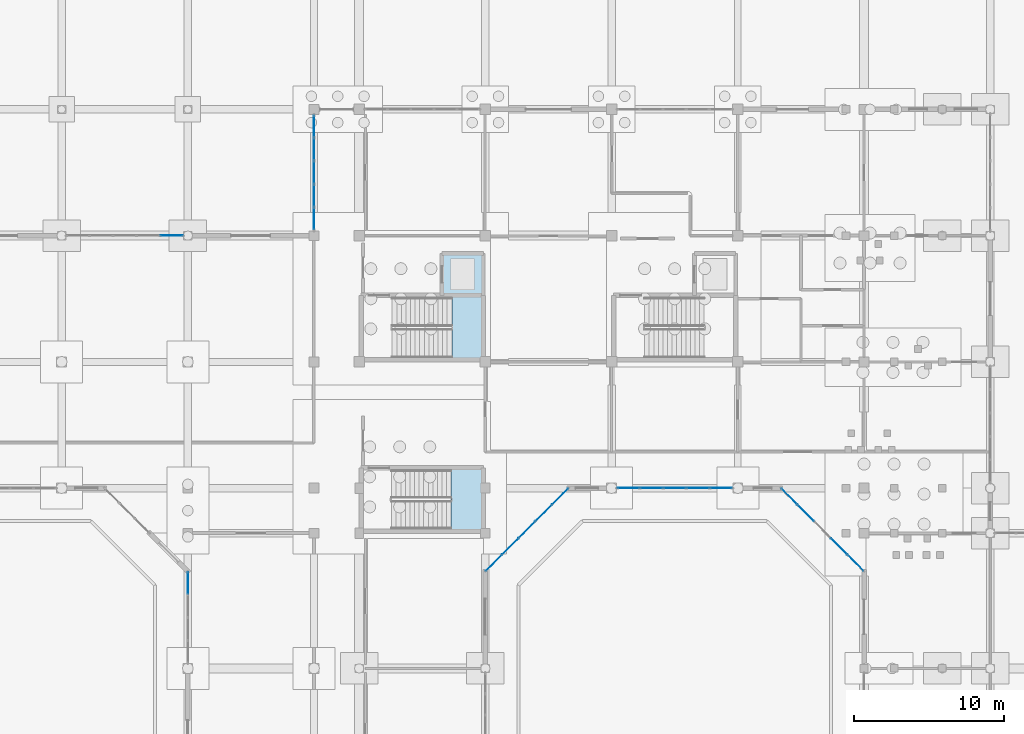
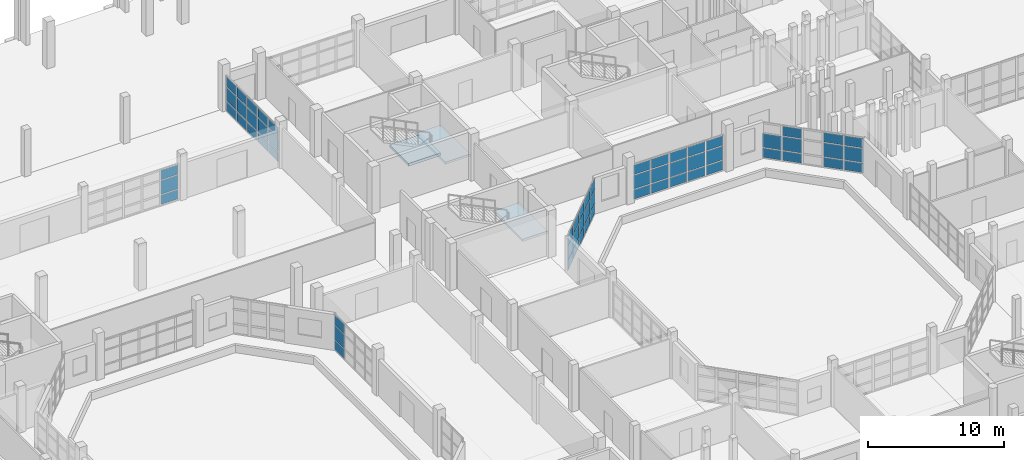
# One storey, part 52 of 88: 62 plates, 3 slabs, 8 elements without a shape of their own.
"""IFC4 building model written with IfcOpenShell, lengths in metres."""

from ifc_helpers import new_model, si_unit, direction, frame, origin, origin_2d, place, context, subcontext, project, spatial, polyline, rectangle, outline, extrude, material, layer, layer_set, type_object, element, aggregate, save


model = new_model("IFC4")

# Units and contexts
model_context = context("Model", 3, precision=1e-05, world=origin(), true_north=direction((0.0, 1.0)))
body_context = subcontext(model_context, "Body", "Model", "MODEL_VIEW")
ifc_project = project(units=[si_unit("LENGTHUNIT", "METRE"), si_unit("AREAUNIT", "SQUARE_METRE"), si_unit("VOLUMEUNIT", "CUBIC_METRE"), si_unit("PLANEANGLEUNIT", "RADIAN"), si_unit("MASSUNIT", "GRAM", prefix="KILO")], contexts=[model_context])

# Site, building, storey
site_placement = place(None, origin())
site = spatial("IfcSite", under=ifc_project, at=site_placement, CompositionType="ELEMENT")
building_placement = place(site_placement, origin())
building = spatial("IfcBuilding", under=site, at=building_placement, Name="Vanh Quang Courtyard School", CompositionType="ELEMENT")
storey_placement = place(building_placement, origin())
storey = spatial("IfcBuildingStorey", under=building, at=storey_placement, Name="L00", CompositionType="ELEMENT", Elevation=0.0)

# Curtain wall, plates
ifc_material_1 = material(Name="Thermally broken aluminium unitised curtain wall", Category="aluminium")
curtain_wall_type_1 = type_object("IfcCurtainWallType", Name="CW-SYS-02", PredefinedType="NOTDEFINED", material=ifc_material_1)
curtain_wall_1_placement = place(storey_placement, origin())
curtain_wall_1 = element("IfcCurtainWall", 1, at=curtain_wall_1_placement, inside=storey, type_object=curtain_wall_type_1, Name="Curtain Wall CW-02 (L00)", PredefinedType="NOTDEFINED")
ifc_material_2 = material(Name="Low-E laminated double glazing", Category="glass")
ifc_layer_1 = layer(ifc_material_2, 0.028076171875)
ifc_layer_set_1 = layer_set([ifc_layer_1], Name="Low-E laminated double glazing")
plate_type_1 = type_object("IfcPlateType", Name="CW-PNL-28", PredefinedType="CURTAIN_PANEL", material=ifc_layer_set_1)
plate_1_placement = place(storey_placement, frame((74.39990234375, 89.326416015625, 0.080078125), z_axis=(0.0, 0.0, 1.0), x_axis=(0.0, 1.0, 0.0)))
plate_1 = element("IfcPlate", 2, at=plate_1_placement, type_object=plate_type_1, Name="CW-02 panel 1.1", PredefinedType="CURTAIN_PANEL", context=body_context, shape_type="SweptSolid", body=[
    extrude(rectangle(XDim=1.4267578125, YDim=0.028076171875, at=origin_2d()), origin(), (0.0, 0.0, 1.0), 0.830078125),
])
plate_2_placement = place(storey_placement, frame((74.39990234375, 89.326416015625, 0.990234375), z_axis=(0.0, 0.0, 1.0), x_axis=(0.0, 1.0, 0.0)))
plate_2 = element("IfcPlate", 3, at=plate_2_placement, type_object=plate_type_1, Name="CW-02 panel 1.2", PredefinedType="CURTAIN_PANEL", context=body_context, shape_type="SweptSolid", body=[
    extrude(rectangle(XDim=1.4267578125, YDim=0.028076171875, at=origin_2d()), origin(), (0.0, 0.0, 1.0), 1.219970703125),
])
plate_3_placement = place(storey_placement, frame((74.39990234375, 89.326416015625, 2.2900390625), z_axis=(0.0, 0.0, 1.0), x_axis=(0.0, 1.0, 0.0)))
plate_3 = element("IfcPlate", 4, at=plate_3_placement, type_object=plate_type_1, Name="CW-02 panel 1.3", PredefinedType="CURTAIN_PANEL", context=body_context, shape_type="SweptSolid", body=[
    extrude(rectangle(XDim=1.4267578125, YDim=0.028076171875, at=origin_2d()), origin(), (0.0, 0.0, 1.0), 0.85009765625),
])
plate_4_placement = place(storey_placement, frame((74.39990234375, 90.853271484375, 0.080078125), z_axis=(0.0, 0.0, 1.0), x_axis=(0.0, 1.0, 0.0)))
plate_4 = element("IfcPlate", 5, at=plate_4_placement, type_object=plate_type_1, Name="CW-02 panel 2.1", PredefinedType="CURTAIN_PANEL", context=body_context, shape_type="SweptSolid", body=[
    extrude(rectangle(XDim=1.466796875, YDim=0.028076171875, at=origin_2d()), origin(), (0.0, 0.0, 1.0), 0.830078125),
])
plate_5_placement = place(storey_placement, frame((74.39990234375, 90.853271484375, 0.990234375), z_axis=(0.0, 0.0, 1.0), x_axis=(0.0, 1.0, 0.0)))
plate_5 = element("IfcPlate", 6, at=plate_5_placement, type_object=plate_type_1, Name="CW-02 panel 2.2", PredefinedType="CURTAIN_PANEL", context=body_context, shape_type="SweptSolid", body=[
    extrude(rectangle(XDim=1.466796875, YDim=0.028076171875, at=origin_2d()), origin(), (0.0, 0.0, 1.0), 1.219970703125),
])
plate_6_placement = place(storey_placement, frame((74.39990234375, 90.853271484375, 2.2900390625), z_axis=(0.0, 0.0, 1.0), x_axis=(0.0, 1.0, 0.0)))
plate_6 = element("IfcPlate", 7, at=plate_6_placement, type_object=plate_type_1, Name="CW-02 panel 2.3", PredefinedType="CURTAIN_PANEL", context=body_context, shape_type="SweptSolid", body=[
    extrude(rectangle(XDim=1.466796875, YDim=0.028076171875, at=origin_2d()), origin(), (0.0, 0.0, 1.0), 0.85009765625),
])
plate_7_placement = place(storey_placement, frame((74.39990234375, 92.39990234375, 0.080078125), z_axis=(0.0, 0.0, 1.0), x_axis=(0.0, 1.0, 0.0)))
plate_7 = element("IfcPlate", 8, at=plate_7_placement, type_object=plate_type_1, Name="CW-02 panel 3.1", PredefinedType="CURTAIN_PANEL", context=body_context, shape_type="SweptSolid", body=[
    extrude(rectangle(XDim=1.466796875, YDim=0.028076171875, at=origin_2d()), origin(), (0.0, 0.0, 1.0), 0.830078125),
])
plate_8_placement = place(storey_placement, frame((74.39990234375, 92.39990234375, 0.990234375), z_axis=(0.0, 0.0, 1.0), x_axis=(0.0, 1.0, 0.0)))
plate_8 = element("IfcPlate", 9, at=plate_8_placement, type_object=plate_type_1, Name="CW-02 panel 3.2", PredefinedType="CURTAIN_PANEL", context=body_context, shape_type="SweptSolid", body=[
    extrude(rectangle(XDim=1.466796875, YDim=0.028076171875, at=origin_2d()), origin(), (0.0, 0.0, 1.0), 1.219970703125),
])
plate_9_placement = place(storey_placement, frame((74.39990234375, 92.39990234375, 2.2900390625), z_axis=(0.0, 0.0, 1.0), x_axis=(0.0, 1.0, 0.0)))
plate_9 = element("IfcPlate", 10, at=plate_9_placement, type_object=plate_type_1, Name="CW-02 panel 3.3", PredefinedType="CURTAIN_PANEL", context=body_context, shape_type="SweptSolid", body=[
    extrude(rectangle(XDim=1.466796875, YDim=0.028076171875, at=origin_2d()), origin(), (0.0, 0.0, 1.0), 0.85009765625),
])
plate_10_placement = place(storey_placement, frame((74.39990234375, 93.94677734375, 0.080078125), z_axis=(0.0, 0.0, 1.0), x_axis=(0.0, 1.0, 0.0)))
plate_10 = element("IfcPlate", 11, at=plate_10_placement, type_object=plate_type_1, Name="CW-02 panel 4.1", PredefinedType="CURTAIN_PANEL", context=body_context, shape_type="SweptSolid", body=[
    extrude(rectangle(XDim=1.466796875, YDim=0.028076171875, at=origin_2d()), origin(), (0.0, 0.0, 1.0), 0.830078125),
])
plate_11_placement = place(storey_placement, frame((74.39990234375, 93.94677734375, 0.990234375), z_axis=(0.0, 0.0, 1.0), x_axis=(0.0, 1.0, 0.0)))
plate_11 = element("IfcPlate", 12, at=plate_11_placement, type_object=plate_type_1, Name="CW-02 panel 4.2", PredefinedType="CURTAIN_PANEL", context=body_context, shape_type="SweptSolid", body=[
    extrude(rectangle(XDim=1.466796875, YDim=0.028076171875, at=origin_2d()), origin(), (0.0, 0.0, 1.0), 1.219970703125),
])
plate_12_placement = place(storey_placement, frame((74.39990234375, 93.94677734375, 2.2900390625), z_axis=(0.0, 0.0, 1.0), x_axis=(0.0, 1.0, 0.0)))
plate_12 = element("IfcPlate", 13, at=plate_12_placement, type_object=plate_type_1, Name="CW-02 panel 4.3", PredefinedType="CURTAIN_PANEL", context=body_context, shape_type="SweptSolid", body=[
    extrude(rectangle(XDim=1.466796875, YDim=0.028076171875, at=origin_2d()), origin(), (0.0, 0.0, 1.0), 0.85009765625),
])
plate_13_placement = place(storey_placement, frame((74.39990234375, 95.4736328125, 0.080078125), z_axis=(0.0, 0.0, 1.0), x_axis=(0.0, 1.0, 0.0)))
plate_13 = element("IfcPlate", 14, at=plate_13_placement, type_object=plate_type_1, Name="CW-02 panel 5.1", PredefinedType="CURTAIN_PANEL", context=body_context, shape_type="SweptSolid", body=[
    extrude(rectangle(XDim=1.4267578125, YDim=0.028076171875, at=origin_2d()), origin(), (0.0, 0.0, 1.0), 0.830078125),
])
plate_14_placement = place(storey_placement, frame((74.39990234375, 95.4736328125, 0.990234375), z_axis=(0.0, 0.0, 1.0), x_axis=(0.0, 1.0, 0.0)))
plate_14 = element("IfcPlate", 15, at=plate_14_placement, type_object=plate_type_1, Name="CW-02 panel 5.2", PredefinedType="CURTAIN_PANEL", context=body_context, shape_type="SweptSolid", body=[
    extrude(rectangle(XDim=1.4267578125, YDim=0.028076171875, at=origin_2d()), origin(), (0.0, 0.0, 1.0), 1.219970703125),
])
plate_15_placement = place(storey_placement, frame((74.39990234375, 95.4736328125, 2.2900390625), z_axis=(0.0, 0.0, 1.0), x_axis=(0.0, 1.0, 0.0)))
plate_15 = element("IfcPlate", 16, at=plate_15_placement, type_object=plate_type_1, Name="CW-02 panel 5.3", PredefinedType="CURTAIN_PANEL", context=body_context, shape_type="SweptSolid", body=[
    extrude(rectangle(XDim=1.4267578125, YDim=0.028076171875, at=origin_2d()), origin(), (0.0, 0.0, 1.0), 0.85009765625),
])
aggregate(curtain_wall_1, [plate_1, plate_2, plate_3, plate_4, plate_5, plate_6, plate_7, plate_8, plate_9, plate_10, plate_11, plate_12, plate_13, plate_14, plate_15])

curtain_wall_type_2 = type_object("IfcCurtainWallType", Name="CW-SYS-01", PredefinedType="NOTDEFINED", material=ifc_material_1)
curtain_wall_2_placement = place(storey_placement, origin())
curtain_wall_2 = element("IfcCurtainWall", 17, at=curtain_wall_2_placement, inside=storey, type_object=curtain_wall_type_2, Name="Curtain Wall CW-01 (L00)", PredefinedType="NOTDEFINED")
plate_16_placement = place(storey_placement, frame((110.43310546875, 66.4228515625, 0.06982421875), z_axis=(0.0, 0.0, 1.0), x_axis=(-0.707106781187, 0.707106781187, 0.0)))
plate_16 = element("IfcPlate", 18, at=plate_16_placement, type_object=plate_type_1, Name="CW-01 panel 1.1", PredefinedType="CURTAIN_PANEL", context=body_context, shape_type="SweptSolid", body=[
    extrude(rectangle(XDim=1.463134765625, YDim=0.028076171875, at=origin_2d()), origin(), (0.0, 0.0, 1.0), 0.844970703125),
])
plate_17_placement = place(storey_placement, frame((110.43310546875, 66.4228515625, 0.985107421875), z_axis=(0.0, 0.0, 1.0), x_axis=(-0.707106781187, 0.707106781187, 0.0)))
plate_17 = element("IfcPlate", 19, at=plate_17_placement, type_object=plate_type_1, Name="CW-01 panel 1.2", PredefinedType="CURTAIN_PANEL", context=body_context, shape_type="SweptSolid", body=[
    extrude(rectangle(XDim=1.463134765625, YDim=0.028076171875, at=origin_2d()), origin(), (0.0, 0.0, 1.0), 1.22998046875),
])
plate_18_placement = place(storey_placement, frame((110.43310546875, 66.4228515625, 2.28515625), z_axis=(0.0, 0.0, 1.0), x_axis=(-0.707106781187, 0.707106781187, 0.0)))
plate_18 = element("IfcPlate", 20, at=plate_18_placement, type_object=plate_type_1, Name="CW-01 panel 1.3", PredefinedType="CURTAIN_PANEL", context=body_context, shape_type="SweptSolid", body=[
    extrude(rectangle(XDim=1.463134765625, YDim=0.028076171875, at=origin_2d()), origin(), (0.0, 0.0, 1.0), 0.864990234375),
])
plate_19_placement = place(storey_placement, frame((109.3369140625, 67.519287109375, 0.06982421875), z_axis=(0.0, 0.0, 1.0), x_axis=(-0.707106781187, 0.707106781187, 0.0)))
plate_19 = element("IfcPlate", 21, at=plate_19_placement, type_object=plate_type_1, Name="CW-01 panel 2.1", PredefinedType="CURTAIN_PANEL", context=body_context, shape_type="SweptSolid", body=[
    extrude(rectangle(XDim=1.498046875, YDim=0.028076171875, at=origin_2d()), origin(), (0.0, 0.0, 1.0), 0.844970703125),
])
plate_20_placement = place(storey_placement, frame((109.3369140625, 67.519287109375, 0.985107421875), z_axis=(0.0, 0.0, 1.0), x_axis=(-0.707106781187, 0.707106781187, 0.0)))
plate_20 = element("IfcPlate", 22, at=plate_20_placement, type_object=plate_type_1, Name="CW-01 panel 2.2", PredefinedType="CURTAIN_PANEL", context=body_context, shape_type="SweptSolid", body=[
    extrude(rectangle(XDim=1.498046875, YDim=0.028076171875, at=origin_2d()), origin(), (0.0, 0.0, 1.0), 1.22998046875),
])
plate_21_placement = place(storey_placement, frame((109.3369140625, 67.519287109375, 2.28515625), z_axis=(0.0, 0.0, 1.0), x_axis=(-0.707106781187, 0.707106781187, 0.0)))
plate_21 = element("IfcPlate", 23, at=plate_21_placement, type_object=plate_type_1, Name="CW-01 panel 2.3", PredefinedType="CURTAIN_PANEL", context=body_context, shape_type="SweptSolid", body=[
    extrude(rectangle(XDim=1.498046875, YDim=0.028076171875, at=origin_2d()), origin(), (0.0, 0.0, 1.0), 0.864990234375),
])
plate_22_placement = place(storey_placement, frame((107.119140625, 69.73681640625, 0.06982421875), z_axis=(0.0, 0.0, 1.0), x_axis=(-0.707106781187, 0.707106781187, 0.0)))
plate_22 = element("IfcPlate", 24, at=plate_22_placement, type_object=plate_type_1, Name="CW-01 panel 4.1", PredefinedType="CURTAIN_PANEL", context=body_context, shape_type="SweptSolid", body=[
    extrude(rectangle(XDim=1.498046875, YDim=0.028076171875, at=origin_2d()), origin(), (0.0, 0.0, 1.0), 0.844970703125),
])
plate_23_placement = place(storey_placement, frame((107.119140625, 69.73681640625, 0.985107421875), z_axis=(0.0, 0.0, 1.0), x_axis=(-0.707106781187, 0.707106781187, 0.0)))
plate_23 = element("IfcPlate", 25, at=plate_23_placement, type_object=plate_type_1, Name="CW-01 panel 4.2", PredefinedType="CURTAIN_PANEL", context=body_context, shape_type="SweptSolid", body=[
    extrude(rectangle(XDim=1.498046875, YDim=0.028076171875, at=origin_2d()), origin(), (0.0, 0.0, 1.0), 1.22998046875),
])
plate_24_placement = place(storey_placement, frame((107.119140625, 69.73681640625, 2.28515625), z_axis=(0.0, 0.0, 1.0), x_axis=(-0.707106781187, 0.707106781187, 0.0)))
plate_24 = element("IfcPlate", 26, at=plate_24_placement, type_object=plate_type_1, Name="CW-01 panel 4.3", PredefinedType="CURTAIN_PANEL", context=body_context, shape_type="SweptSolid", body=[
    extrude(rectangle(XDim=1.498046875, YDim=0.028076171875, at=origin_2d()), origin(), (0.0, 0.0, 1.0), 0.864990234375),
])
plate_25_placement = place(storey_placement, frame((106.022705078125, 70.833251953125, 0.06982421875), z_axis=(0.0, 0.0, 1.0), x_axis=(-0.707106781187, 0.707106781187, 0.0)))
plate_25 = element("IfcPlate", 27, at=plate_25_placement, type_object=plate_type_1, Name="CW-01 panel 5.1", PredefinedType="CURTAIN_PANEL", context=body_context, shape_type="SweptSolid", body=[
    extrude(rectangle(XDim=1.463134765625, YDim=0.028076171875, at=origin_2d()), origin(), (0.0, 0.0, 1.0), 0.844970703125),
])
plate_26_placement = place(storey_placement, frame((106.022705078125, 70.833251953125, 0.985107421875), z_axis=(0.0, 0.0, 1.0), x_axis=(-0.707106781187, 0.707106781187, 0.0)))
plate_26 = element("IfcPlate", 28, at=plate_26_placement, type_object=plate_type_1, Name="CW-01 panel 5.2", PredefinedType="CURTAIN_PANEL", context=body_context, shape_type="SweptSolid", body=[
    extrude(rectangle(XDim=1.463134765625, YDim=0.028076171875, at=origin_2d()), origin(), (0.0, 0.0, 1.0), 1.22998046875),
])
aggregate(curtain_wall_2, [plate_16, plate_17, plate_18, plate_19, plate_20, plate_21, plate_22, plate_23, plate_24, plate_25, plate_26])

curtain_wall_3_placement = place(storey_placement, origin())
curtain_wall_3 = element("IfcCurtainWall", 29, at=curtain_wall_3_placement, inside=storey, type_object=curtain_wall_type_2, Name="Curtain Wall CW-01 (L00)", PredefinedType="NOTDEFINED")
plate_27_placement = place(storey_placement, frame((90.779052734375, 70.8349609375, 0.06005859375), z_axis=(0.0, 0.0, 1.0), x_axis=(-0.707106781187, -0.707106781187, 0.0)))
plate_27 = element("IfcPlate", 30, at=plate_27_placement, type_object=plate_type_1, Name="CW-01 panel 1.1", PredefinedType="CURTAIN_PANEL", context=body_context, shape_type="SweptSolid", body=[
    extrude(rectangle(XDim=1.47802734375, YDim=0.028076171875, at=origin_2d()), origin(), (0.0, 0.0, 1.0), 0.860107421875),
])
plate_28_placement = place(storey_placement, frame((90.779052734375, 70.8349609375, 0.97998046875), z_axis=(0.0, 0.0, 1.0), x_axis=(-0.707106781187, -0.707106781187, 0.0)))
plate_28 = element("IfcPlate", 31, at=plate_28_placement, type_object=plate_type_1, Name="CW-01 panel 1.2", PredefinedType="CURTAIN_PANEL", context=body_context, shape_type="SweptSolid", body=[
    extrude(rectangle(XDim=1.47802734375, YDim=0.028076171875, at=origin_2d()), origin(), (0.0, 0.0, 1.0), 1.239990234375),
])
plate_29_placement = place(storey_placement, frame((90.779052734375, 70.8349609375, 2.280029296875), z_axis=(0.0, 0.0, 1.0), x_axis=(-0.707106781187, -0.707106781187, 0.0)))
plate_29 = element("IfcPlate", 32, at=plate_29_placement, type_object=plate_type_1, Name="CW-01 panel 1.3", PredefinedType="CURTAIN_PANEL", context=body_context, shape_type="SweptSolid", body=[
    extrude(rectangle(XDim=1.47802734375, YDim=0.028076171875, at=origin_2d()), origin(), (0.0, 0.0, 1.0), 0.8798828125),
])
plate_30_placement = place(storey_placement, frame((89.680908203125, 69.73681640625, 0.06005859375), z_axis=(0.0, 0.0, 1.0), x_axis=(-0.707106781187, -0.707106781187, 0.0)))
plate_30 = element("IfcPlate", 33, at=plate_30_placement, type_object=plate_type_1, Name="CW-01 panel 2.1", PredefinedType="CURTAIN_PANEL", context=body_context, shape_type="SweptSolid", body=[
    extrude(rectangle(XDim=1.508056640625, YDim=0.028076171875, at=origin_2d()), origin(), (0.0, 0.0, 1.0), 0.860107421875),
])
plate_31_placement = place(storey_placement, frame((89.680908203125, 69.73681640625, 0.97998046875), z_axis=(0.0, 0.0, 1.0), x_axis=(-0.707106781187, -0.707106781187, 0.0)))
plate_31 = element("IfcPlate", 34, at=plate_31_placement, type_object=plate_type_1, Name="CW-01 panel 2.2", PredefinedType="CURTAIN_PANEL", context=body_context, shape_type="SweptSolid", body=[
    extrude(rectangle(XDim=1.508056640625, YDim=0.028076171875, at=origin_2d()), origin(), (0.0, 0.0, 1.0), 1.239990234375),
])
plate_32_placement = place(storey_placement, frame((89.680908203125, 69.73681640625, 2.280029296875), z_axis=(0.0, 0.0, 1.0), x_axis=(-0.707106781187, -0.707106781187, 0.0)))
plate_32 = element("IfcPlate", 35, at=plate_32_placement, type_object=plate_type_1, Name="CW-01 panel 2.3", PredefinedType="CURTAIN_PANEL", context=body_context, shape_type="SweptSolid", body=[
    extrude(rectangle(XDim=1.508056640625, YDim=0.028076171875, at=origin_2d()), origin(), (0.0, 0.0, 1.0), 0.8798828125),
])
plate_33_placement = place(storey_placement, frame((88.572021484375, 68.6279296875, 0.06005859375), z_axis=(0.0, 0.0, 1.0), x_axis=(-0.707106781187, -0.707106781187, 0.0)))
plate_33 = element("IfcPlate", 36, at=plate_33_placement, type_object=plate_type_1, Name="CW-01 panel 3.1", PredefinedType="CURTAIN_PANEL", context=body_context, shape_type="SweptSolid", body=[
    extrude(rectangle(XDim=1.508056640625, YDim=0.028076171875, at=origin_2d()), origin(), (0.0, 0.0, 1.0), 0.860107421875),
])
plate_34_placement = place(storey_placement, frame((88.572021484375, 68.6279296875, 0.97998046875), z_axis=(0.0, 0.0, 1.0), x_axis=(-0.707106781187, -0.707106781187, 0.0)))
plate_34 = element("IfcPlate", 37, at=plate_34_placement, type_object=plate_type_1, Name="CW-01 panel 3.2", PredefinedType="CURTAIN_PANEL", context=body_context, shape_type="SweptSolid", body=[
    extrude(rectangle(XDim=1.508056640625, YDim=0.028076171875, at=origin_2d()), origin(), (0.0, 0.0, 1.0), 1.239990234375),
])
plate_35_placement = place(storey_placement, frame((88.572021484375, 68.6279296875, 2.280029296875), z_axis=(0.0, 0.0, 1.0), x_axis=(-0.707106781187, -0.707106781187, 0.0)))
plate_35 = element("IfcPlate", 38, at=plate_35_placement, type_object=plate_type_1, Name="CW-01 panel 3.3", PredefinedType="CURTAIN_PANEL", context=body_context, shape_type="SweptSolid", body=[
    extrude(rectangle(XDim=1.508056640625, YDim=0.028076171875, at=origin_2d()), origin(), (0.0, 0.0, 1.0), 0.8798828125),
])
plate_36_placement = place(storey_placement, frame((87.463134765625, 67.519287109375, 0.06005859375), z_axis=(0.0, 0.0, 1.0), x_axis=(-0.707106781187, -0.707106781187, 0.0)))
plate_36 = element("IfcPlate", 39, at=plate_36_placement, type_object=plate_type_1, Name="CW-01 panel 4.1", PredefinedType="CURTAIN_PANEL", context=body_context, shape_type="SweptSolid", body=[
    extrude(rectangle(XDim=1.508056640625, YDim=0.028076171875, at=origin_2d()), origin(), (0.0, 0.0, 1.0), 0.860107421875),
])
plate_37_placement = place(storey_placement, frame((87.463134765625, 67.519287109375, 0.97998046875), z_axis=(0.0, 0.0, 1.0), x_axis=(-0.707106781187, -0.707106781187, 0.0)))
plate_37 = element("IfcPlate", 40, at=plate_37_placement, type_object=plate_type_1, Name="CW-01 panel 4.2", PredefinedType="CURTAIN_PANEL", context=body_context, shape_type="SweptSolid", body=[
    extrude(rectangle(XDim=1.508056640625, YDim=0.028076171875, at=origin_2d()), origin(), (0.0, 0.0, 1.0), 1.239990234375),
])
plate_38_placement = place(storey_placement, frame((87.463134765625, 67.519287109375, 2.280029296875), z_axis=(0.0, 0.0, 1.0), x_axis=(-0.707106781187, -0.707106781187, 0.0)))
plate_38 = element("IfcPlate", 41, at=plate_38_placement, type_object=plate_type_1, Name="CW-01 panel 4.3", PredefinedType="CURTAIN_PANEL", context=body_context, shape_type="SweptSolid", body=[
    extrude(rectangle(XDim=1.508056640625, YDim=0.028076171875, at=origin_2d()), origin(), (0.0, 0.0, 1.0), 0.8798828125),
])
plate_39_placement = place(storey_placement, frame((86.364990234375, 66.4208984375, 0.06005859375), z_axis=(0.0, 0.0, 1.0), x_axis=(-0.707106781187, -0.707106781187, 0.0)))
plate_39 = element("IfcPlate", 42, at=plate_39_placement, type_object=plate_type_1, Name="CW-01 panel 5.1", PredefinedType="CURTAIN_PANEL", context=body_context, shape_type="SweptSolid", body=[
    extrude(rectangle(XDim=1.47802734375, YDim=0.028076171875, at=origin_2d()), origin(), (0.0, 0.0, 1.0), 0.860107421875),
])
plate_40_placement = place(storey_placement, frame((86.364990234375, 66.4208984375, 0.97998046875), z_axis=(0.0, 0.0, 1.0), x_axis=(-0.707106781187, -0.707106781187, 0.0)))
plate_40 = element("IfcPlate", 43, at=plate_40_placement, type_object=plate_type_1, Name="CW-01 panel 5.2", PredefinedType="CURTAIN_PANEL", context=body_context, shape_type="SweptSolid", body=[
    extrude(rectangle(XDim=1.47802734375, YDim=0.028076171875, at=origin_2d()), origin(), (0.0, 0.0, 1.0), 1.239990234375),
])
plate_41_placement = place(storey_placement, frame((86.364990234375, 66.4208984375, 2.280029296875), z_axis=(0.0, 0.0, 1.0), x_axis=(-0.707106781187, -0.707106781187, 0.0)))
plate_41 = element("IfcPlate", 44, at=plate_41_placement, type_object=plate_type_1, Name="CW-01 panel 5.3", PredefinedType="CURTAIN_PANEL", context=body_context, shape_type="SweptSolid", body=[
    extrude(rectangle(XDim=1.47802734375, YDim=0.028076171875, at=origin_2d()), origin(), (0.0, 0.0, 1.0), 0.8798828125),
])
aggregate(curtain_wall_3, [plate_27, plate_28, plate_29, plate_30, plate_31, plate_32, plate_33, plate_34, plate_35, plate_36, plate_37, plate_38, plate_39, plate_40, plate_41])

curtain_wall_4_placement = place(storey_placement, origin())
curtain_wall_4 = element("IfcCurtainWall", 45, at=curtain_wall_4_placement, inside=storey, type_object=curtain_wall_type_2, Name="Curtain Wall CW-01 (L00)", PredefinedType="NOTDEFINED")
ifc_layer_2 = layer(ifc_material_2, 0.031982421875)
ifc_layer_set_2 = layer_set([ifc_layer_2], Name="Low-E laminated double glazing")
plate_type_2 = type_object("IfcPlateType", Name="CW-PNL-32", PredefinedType="CURTAIN_PANEL", material=ifc_layer_set_2)
plate_42_placement = place(storey_placement, frame((64.916015625, 88.199951171875, 0.06982421875), z_axis=(0.0, 0.0, 1.0), x_axis=(1.0, 0.0, 0.0)))
plate_42 = element("IfcPlate", 46, at=plate_42_placement, type_object=plate_type_2, Name="CW-01 panel 5.1", PredefinedType="CURTAIN_PANEL", context=body_context, shape_type="SweptSolid", body=[
    extrude(rectangle(XDim=1.4619140625, YDim=0.031982421875, at=origin_2d()), origin(), (0.0, 0.0, 1.0), 0.844970703125),
])
plate_43_placement = place(storey_placement, frame((64.916015625, 88.199951171875, 0.985107421875), z_axis=(0.0, 0.0, 1.0), x_axis=(1.0, 0.0, 0.0)))
plate_43 = element("IfcPlate", 47, at=plate_43_placement, type_object=plate_type_2, Name="CW-01 panel 5.2", PredefinedType="CURTAIN_PANEL", context=body_context, shape_type="SweptSolid", body=[
    extrude(rectangle(XDim=1.4619140625, YDim=0.031982421875, at=origin_2d()), origin(), (0.0, 0.0, 1.0), 1.22998046875),
])
plate_44_placement = place(storey_placement, frame((64.916015625, 88.199951171875, 2.28515625), z_axis=(0.0, 0.0, 1.0), x_axis=(1.0, 0.0, 0.0)))
plate_44 = element("IfcPlate", 48, at=plate_44_placement, type_object=plate_type_2, Name="CW-01 panel 5.3", PredefinedType="CURTAIN_PANEL", context=body_context, shape_type="SweptSolid", body=[
    extrude(rectangle(XDim=1.4619140625, YDim=0.031982421875, at=origin_2d()), origin(), (0.0, 0.0, 1.0), 0.864990234375),
])
aggregate(curtain_wall_4, [plate_42, plate_43, plate_44])

curtain_wall_type_3 = type_object("IfcCurtainWallType", Name="CW-SYS-13", PredefinedType="NOTDEFINED", material=ifc_material_1)
curtain_wall_5_placement = place(storey_placement, origin())
curtain_wall_5 = element("IfcCurtainWall", 49, at=curtain_wall_5_placement, inside=storey, type_object=curtain_wall_type_3, Name="Curtain Wall CW-13 (L00)", PredefinedType="NOTDEFINED")
plate_45_placement = place(storey_placement, frame((66.0, 65.0732421875, 0.06982421875), z_axis=(0.0, 0.0, 1.0), x_axis=(0.0, 1.0, 0.0)))
plate_45 = element("IfcPlate", 50, at=plate_45_placement, type_object=plate_type_2, Name="CW-13 panel 4.1", PredefinedType="CURTAIN_PANEL", context=body_context, shape_type="SweptSolid", body=[
    extrude(rectangle(XDim=1.42578125, YDim=0.031982421875, at=origin_2d()), origin(), (0.0, 0.0, 1.0), 0.844970703125),
])
plate_46_placement = place(storey_placement, frame((66.0, 65.0732421875, 0.985107421875), z_axis=(0.0, 0.0, 1.0), x_axis=(0.0, 1.0, 0.0)))
plate_46 = element("IfcPlate", 51, at=plate_46_placement, type_object=plate_type_2, Name="CW-13 panel 4.2", PredefinedType="CURTAIN_PANEL", context=body_context, shape_type="SweptSolid", body=[
    extrude(rectangle(XDim=1.42578125, YDim=0.031982421875, at=origin_2d()), origin(), (0.0, 0.0, 1.0), 1.22998046875),
])
plate_47_placement = place(storey_placement, frame((66.0, 65.0732421875, 2.28515625), z_axis=(0.0, 0.0, 1.0), x_axis=(0.0, 1.0, 0.0)))
plate_47 = element("IfcPlate", 52, at=plate_47_placement, type_object=plate_type_2, Name="CW-13 panel 4.3", PredefinedType="CURTAIN_PANEL", context=body_context, shape_type="SweptSolid", body=[
    extrude(rectangle(XDim=1.42578125, YDim=0.031982421875, at=origin_2d()), origin(), (0.0, 0.0, 1.0), 0.864990234375),
])
aggregate(curtain_wall_5, [plate_45, plate_46, plate_47])

curtain_wall_6_placement = place(storey_placement, origin())
curtain_wall_6 = element("IfcCurtainWall", 53, at=curtain_wall_6_placement, inside=storey, type_object=curtain_wall_type_1, Name="Curtain Wall CW-02 (L00)", PredefinedType="NOTDEFINED")
plate_48_placement = place(storey_placement, frame((101.4736328125, 71.39990234375, 0.080078125), z_axis=(0.0, 0.0, 1.0), x_axis=(-1.0, 0.0, 0.0)))
plate_48 = element("IfcPlate", 54, at=plate_48_placement, type_object=plate_type_2, Name="CW-02 panel 1.1", PredefinedType="CURTAIN_PANEL", context=body_context, shape_type="SweptSolid", body=[
    extrude(rectangle(XDim=1.4267578125, YDim=0.031982421875, at=origin_2d()), origin(), (0.0, 0.0, 1.0), 0.830078125),
])
plate_49_placement = place(storey_placement, frame((101.4736328125, 71.39990234375, 0.990234375), z_axis=(0.0, 0.0, 1.0), x_axis=(-1.0, 0.0, 0.0)))
plate_49 = element("IfcPlate", 55, at=plate_49_placement, type_object=plate_type_2, Name="CW-02 panel 1.2", PredefinedType="CURTAIN_PANEL", context=body_context, shape_type="SweptSolid", body=[
    extrude(rectangle(XDim=1.4267578125, YDim=0.031982421875, at=origin_2d()), origin(), (0.0, 0.0, 1.0), 1.219970703125),
])
plate_50_placement = place(storey_placement, frame((101.4736328125, 71.39990234375, 2.2900390625), z_axis=(0.0, 0.0, 1.0), x_axis=(-1.0, 0.0, 0.0)))
plate_50 = element("IfcPlate", 56, at=plate_50_placement, type_object=plate_type_2, Name="CW-02 panel 1.3", PredefinedType="CURTAIN_PANEL", context=body_context, shape_type="SweptSolid", body=[
    extrude(rectangle(XDim=1.4267578125, YDim=0.031982421875, at=origin_2d()), origin(), (0.0, 0.0, 1.0), 0.85009765625),
])
plate_51_placement = place(storey_placement, frame((99.94677734375, 71.39990234375, 0.080078125), z_axis=(0.0, 0.0, 1.0), x_axis=(-1.0, 0.0, 0.0)))
plate_51 = element("IfcPlate", 57, at=plate_51_placement, type_object=plate_type_2, Name="CW-02 panel 2.1", PredefinedType="CURTAIN_PANEL", context=body_context, shape_type="SweptSolid", body=[
    extrude(rectangle(XDim=1.466796875, YDim=0.031982421875, at=origin_2d()), origin(), (0.0, 0.0, 1.0), 0.830078125),
])
plate_52_placement = place(storey_placement, frame((99.94677734375, 71.39990234375, 0.990234375), z_axis=(0.0, 0.0, 1.0), x_axis=(-1.0, 0.0, 0.0)))
plate_52 = element("IfcPlate", 58, at=plate_52_placement, type_object=plate_type_2, Name="CW-02 panel 2.2", PredefinedType="CURTAIN_PANEL", context=body_context, shape_type="SweptSolid", body=[
    extrude(rectangle(XDim=1.466796875, YDim=0.031982421875, at=origin_2d()), origin(), (0.0, 0.0, 1.0), 1.219970703125),
])
plate_53_placement = place(storey_placement, frame((99.94677734375, 71.39990234375, 2.2900390625), z_axis=(0.0, 0.0, 1.0), x_axis=(-1.0, 0.0, 0.0)))
plate_53 = element("IfcPlate", 59, at=plate_53_placement, type_object=plate_type_2, Name="CW-02 panel 2.3", PredefinedType="CURTAIN_PANEL", context=body_context, shape_type="SweptSolid", body=[
    extrude(rectangle(XDim=1.466796875, YDim=0.031982421875, at=origin_2d()), origin(), (0.0, 0.0, 1.0), 0.85009765625),
])
plate_54_placement = place(storey_placement, frame((98.39990234375, 71.39990234375, 0.080078125), z_axis=(0.0, 0.0, 1.0), x_axis=(-1.0, 0.0, 0.0)))
plate_54 = element("IfcPlate", 60, at=plate_54_placement, type_object=plate_type_2, Name="CW-02 panel 3.1", PredefinedType="CURTAIN_PANEL", context=body_context, shape_type="SweptSolid", body=[
    extrude(rectangle(XDim=1.466796875, YDim=0.031982421875, at=origin_2d()), origin(), (0.0, 0.0, 1.0), 0.830078125),
])
plate_55_placement = place(storey_placement, frame((98.39990234375, 71.39990234375, 0.990234375), z_axis=(0.0, 0.0, 1.0), x_axis=(-1.0, 0.0, 0.0)))
plate_55 = element("IfcPlate", 61, at=plate_55_placement, type_object=plate_type_2, Name="CW-02 panel 3.2", PredefinedType="CURTAIN_PANEL", context=body_context, shape_type="SweptSolid", body=[
    extrude(rectangle(XDim=1.466796875, YDim=0.031982421875, at=origin_2d()), origin(), (0.0, 0.0, 1.0), 1.219970703125),
])
plate_56_placement = place(storey_placement, frame((98.39990234375, 71.39990234375, 2.2900390625), z_axis=(0.0, 0.0, 1.0), x_axis=(-1.0, 0.0, 0.0)))
plate_56 = element("IfcPlate", 62, at=plate_56_placement, type_object=plate_type_2, Name="CW-02 panel 3.3", PredefinedType="CURTAIN_PANEL", context=body_context, shape_type="SweptSolid", body=[
    extrude(rectangle(XDim=1.466796875, YDim=0.031982421875, at=origin_2d()), origin(), (0.0, 0.0, 1.0), 0.85009765625),
])
plate_57_placement = place(storey_placement, frame((96.853271484375, 71.39990234375, 0.080078125), z_axis=(0.0, 0.0, 1.0), x_axis=(-1.0, 0.0, 0.0)))
plate_57 = element("IfcPlate", 63, at=plate_57_placement, type_object=plate_type_2, Name="CW-02 panel 4.1", PredefinedType="CURTAIN_PANEL", context=body_context, shape_type="SweptSolid", body=[
    extrude(rectangle(XDim=1.466796875, YDim=0.031982421875, at=origin_2d()), origin(), (0.0, 0.0, 1.0), 0.830078125),
])
plate_58_placement = place(storey_placement, frame((96.853271484375, 71.39990234375, 0.990234375), z_axis=(0.0, 0.0, 1.0), x_axis=(-1.0, 0.0, 0.0)))
plate_58 = element("IfcPlate", 64, at=plate_58_placement, type_object=plate_type_2, Name="CW-02 panel 4.2", PredefinedType="CURTAIN_PANEL", context=body_context, shape_type="SweptSolid", body=[
    extrude(rectangle(XDim=1.466796875, YDim=0.031982421875, at=origin_2d()), origin(), (0.0, 0.0, 1.0), 1.219970703125),
])
plate_59_placement = place(storey_placement, frame((96.853271484375, 71.39990234375, 2.2900390625), z_axis=(0.0, 0.0, 1.0), x_axis=(-1.0, 0.0, 0.0)))
plate_59 = element("IfcPlate", 65, at=plate_59_placement, type_object=plate_type_2, Name="CW-02 panel 4.3", PredefinedType="CURTAIN_PANEL", context=body_context, shape_type="SweptSolid", body=[
    extrude(rectangle(XDim=1.466796875, YDim=0.031982421875, at=origin_2d()), origin(), (0.0, 0.0, 1.0), 0.85009765625),
])
plate_60_placement = place(storey_placement, frame((95.326416015625, 71.39990234375, 0.080078125), z_axis=(0.0, 0.0, 1.0), x_axis=(-1.0, 0.0, 0.0)))
plate_60 = element("IfcPlate", 66, at=plate_60_placement, type_object=plate_type_2, Name="CW-02 panel 5.1", PredefinedType="CURTAIN_PANEL", context=body_context, shape_type="SweptSolid", body=[
    extrude(rectangle(XDim=1.4267578125, YDim=0.031982421875, at=origin_2d()), origin(), (0.0, 0.0, 1.0), 0.830078125),
])
plate_61_placement = place(storey_placement, frame((95.326416015625, 71.39990234375, 0.990234375), z_axis=(0.0, 0.0, 1.0), x_axis=(-1.0, 0.0, 0.0)))
plate_61 = element("IfcPlate", 67, at=plate_61_placement, type_object=plate_type_2, Name="CW-02 panel 5.2", PredefinedType="CURTAIN_PANEL", context=body_context, shape_type="SweptSolid", body=[
    extrude(rectangle(XDim=1.4267578125, YDim=0.031982421875, at=origin_2d()), origin(), (0.0, 0.0, 1.0), 1.219970703125),
])
plate_62_placement = place(storey_placement, frame((95.326416015625, 71.39990234375, 2.2900390625), z_axis=(0.0, 0.0, 1.0), x_axis=(-1.0, 0.0, 0.0)))
plate_62 = element("IfcPlate", 68, at=plate_62_placement, type_object=plate_type_2, Name="CW-02 panel 5.3", PredefinedType="CURTAIN_PANEL", context=body_context, shape_type="SweptSolid", body=[
    extrude(rectangle(XDim=1.4267578125, YDim=0.031982421875, at=origin_2d()), origin(), (0.0, 0.0, 1.0), 0.85009765625),
])
aggregate(curtain_wall_6, [plate_48, plate_49, plate_50, plate_51, plate_52, plate_53, plate_54, plate_55, plate_56, plate_57, plate_58, plate_59, plate_60, plate_61, plate_62])

# Slab
ifc_material_3 = material(Name="Concrete C30/37", Category="concrete")
ifc_layer_3 = layer(ifc_material_3, 0.25)
ifc_layer_set_3 = layer_set([ifc_layer_3], Name="Concrete C30/37")
slab_type_1 = type_object("IfcSlabType", Name="SLB-FLR-250", PredefinedType="FLOOR", material=ifc_layer_set_3)
slab_1_placement = place(storey_placement, frame((0.0, 0.0, -0.64990234375)))
element("IfcSlab", 69, at=slab_1_placement, inside=storey, type_object=slab_type_1, Name="Slab SF-04 (L00)", PredefinedType="FLOOR", context=body_context, shape_type="SweptSolid", body=[
    extrude(outline(polyline([(82.919921875, 84.219970703125), (85.659912109375, 84.219970703125), (85.659912109375, 87.02001953125), (82.919921875, 87.02001953125), (82.919921875, 84.219970703125)])), origin(), (0.0, 0.0, 1.0), 0.25),
])

# Stair, slab
stair_type_1 = type_object("IfcStairType", Name="STR-CORE-1920", PredefinedType="HALF_TURN_STAIR", material=ifc_material_3)
stair_1_placement = place(storey_placement, origin())
stair_1 = element("IfcStair", 70, at=stair_1_placement, inside=storey, type_object=stair_type_1, Name="L00 ST-01", PredefinedType="HALF_TURN_STAIR")
ifc_layer_4 = layer(ifc_material_3, 0.199951171875)
ifc_layer_set_4 = layer_set([ifc_layer_4], Name="Concrete C30/37")
slab_type_2 = type_object("IfcSlabType", Name="SLB-LND-200", PredefinedType="LANDING", material=ifc_layer_set_4)
slab_2_placement = place(storey_placement, frame((0.0, 0.0, 1.89990234375)))
slab_2 = element("IfcSlab", 71, at=slab_2_placement, type_object=slab_type_2, Name="ST-01 landing 1", PredefinedType="LANDING", context=body_context, shape_type="SweptSolid", body=[
    extrude(outline(polyline([(83.56494140625, 79.919921875), (85.679931640625, 79.919921875), (85.679931640625, 84.239990234375), (83.56494140625, 84.239990234375), (83.56494140625, 79.919921875)])), origin(), (0.0, 0.0, 1.0), 0.2001953125),
])
aggregate(stair_1, [slab_2])

stair_type_2 = type_object("IfcStairType", Name="STR-CORE-1880", PredefinedType="HALF_TURN_STAIR", material=ifc_material_3)
stair_2_placement = place(storey_placement, origin())
stair_2 = element("IfcStair", 72, at=stair_2_placement, inside=storey, type_object=stair_type_2, Name="L00 ST-05", PredefinedType="HALF_TURN_STAIR")
slab_3_placement = place(storey_placement, frame((0.0, 0.0, 1.89990234375)))
slab_3 = element("IfcSlab", 73, at=slab_3_placement, type_object=slab_type_2, Name="ST-05 landing 1", PredefinedType="LANDING", context=body_context, shape_type="SweptSolid", body=[
    extrude(outline(polyline([(83.52490234375, 68.52001953125), (85.679931640625, 68.52001953125), (85.679931640625, 72.760009765625), (83.52490234375, 72.760009765625), (83.52490234375, 68.52001953125)])), origin(), (0.0, 0.0, 1.0), 0.2001953125),
])
aggregate(stair_2, [slab_3])

save(model, "model.ifc")
